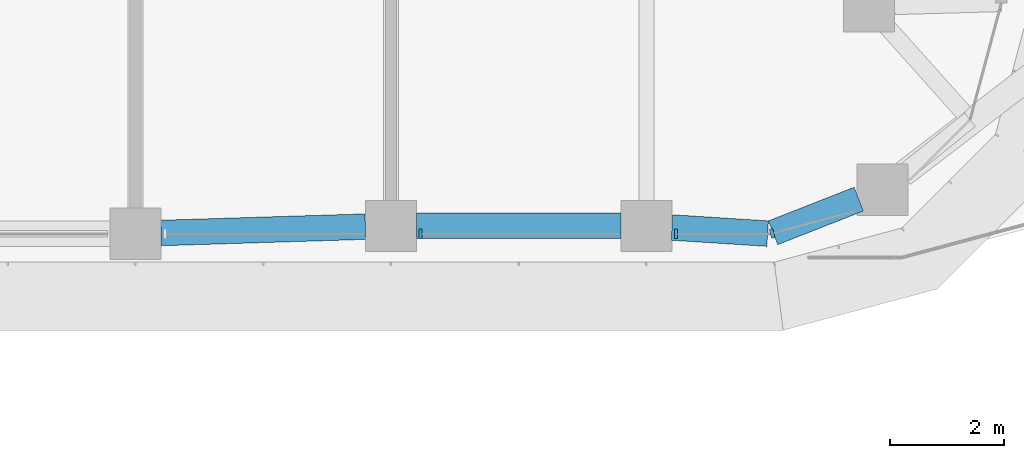
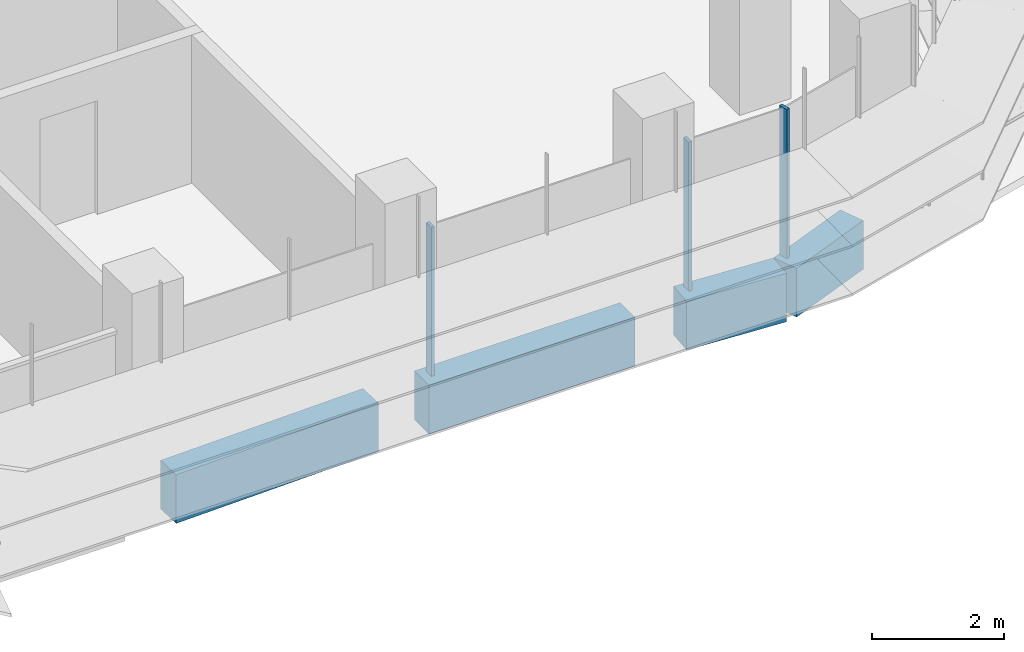
# One storey, part 5 of 22: 4 beams, 3 members, 2 elements without a shape of their own.
"""IFC4 building model written with IfcOpenShell, lengths in metres."""

from ifc_helpers import new_model, si_unit, direction, frame, origin, origin_2d, place, context, subcontext, project, spatial, polyline, rectangle, outline, extrude, source, transform, mapped, material, material_profile, profile_set, type_object, element, aggregate, save


model = new_model("IFC4")

# Units and contexts
model_context = context("Model", 3, precision=1e-05, world=origin(), true_north=direction((0.0, 1.0)))
body_context = subcontext(model_context, "Body", "Model", "MODEL_VIEW")
ifc_project = project(units=[si_unit("LENGTHUNIT", "METRE"), si_unit("AREAUNIT", "SQUARE_METRE"), si_unit("VOLUMEUNIT", "CUBIC_METRE"), si_unit("PLANEANGLEUNIT", "RADIAN"), si_unit("MASSUNIT", "GRAM", prefix="KILO")], contexts=[model_context])

# Site, building, storey
site_placement = place(None, origin())
site = spatial("IfcSite", under=ifc_project, at=site_placement, CompositionType="ELEMENT")
building_placement = place(site_placement, origin())
building = spatial("IfcBuilding", under=site, at=building_placement, Name="Zarbagh Exchange Tower", CompositionType="ELEMENT")
storey_placement = place(building_placement, frame((0.0, 0.0, 124.60009765625)))
storey = spatial("IfcBuildingStorey", under=building, at=storey_placement, Name="L29", CompositionType="ELEMENT", Elevation=124.60009765625)

# Beams
ifc_material_1 = material(Name="Concrete C60/75", Category="concrete")
ifc_material_profile = material_profile(ifc_material_1, rectangle(XDim=0.449951171875, YDim=0.89990234375, at=origin_2d()), Name="RC spandrel beam 450 x 900 C60/75")
ifc_profile_set = profile_set([ifc_material_profile], Name="Concrete C60/75")
beam_type = type_object("IfcBeamType", Name="RC spandrel beam 450 x 900 C60/75", PredefinedType="SPANDREL", material=ifc_profile_set)
beam_1_placement = place(storey_placement, frame((28.489013671875, -5.639404296875, -0.60009765625), z_axis=(-0.930806421439, -0.365512524832, 0.0), x_axis=(0.365512524832, -0.930806421439, 0.0)))
element("IfcBeam", 1, at=beam_1_placement, inside=storey, type_object=beam_type, Name="RC spandrel beam", PredefinedType="SPANDREL", context=body_context, shape_type="SweptSolid", body=[
    extrude(rectangle(XDim=0.449951171875, YDim=0.89990234375, at=origin_2d()), origin(), (0.0, 0.0, 1.0), 1.620361328125),
])
beam_2_placement = place(storey_placement, frame((26.88427734375, -6.246826171875, -0.60009765625), z_axis=(-0.997955762545, 0.063908497109, 0.0), x_axis=(-0.063908497109, -0.997955762545, 0.0)))
element("IfcBeam", 2, at=beam_2_placement, inside=storey, type_object=beam_type, Name="RC spandrel beam", PredefinedType="SPANDREL", context=body_context, shape_type="SweptSolid", body=[
    extrude(rectangle(XDim=0.449951171875, YDim=0.89990234375, at=origin_2d()), origin(), (0.0, 0.0, 1.0), 1.6884765625),
])
beam_3_placement = place(storey_placement, frame((24.300048828125, -6.110107421875, -0.60009765625), z_axis=(-1.0, 0.0, 0.0), x_axis=(0.0, -1.0, 0.0)))
element("IfcBeam", 3, at=beam_3_placement, inside=storey, type_object=beam_type, Name="RC spandrel beam", PredefinedType="SPANDREL", context=body_context, shape_type="SweptSolid", body=[
    extrude(rectangle(XDim=0.449951171875, YDim=0.89990234375, at=origin_2d()), origin(), (0.0, 0.0, 1.0), 3.60009765625),
])
beam_4_placement = place(storey_placement, frame((19.80029296875, -6.1240234375, -0.60009765625), z_axis=(-0.999516035224, -0.031107801747, 0.0), x_axis=(0.031107801747, -0.999516035224, 0.0)))
element("IfcBeam", 4, at=beam_4_placement, inside=storey, type_object=beam_type, Name="RC spandrel beam", PredefinedType="SPANDREL", context=body_context, shape_type="SweptSolid", body=[
    extrude(rectangle(XDim=0.449951171875, YDim=0.89990234375, at=origin_2d()), origin(), (0.0, 0.0, 1.0), 3.602294921875),
])

# Curtain wall, members
ifc_material_2 = material(Name="Anodised aluminium frame and glazing", Category="aluminium")
curtain_wall_type = type_object("IfcCurtainWallType", Name="CWA Ribbon glazing, lower zones", PredefinedType="NOTDEFINED", material=ifc_material_2)
curtain_wall_1_placement = place(storey_placement, origin())
curtain_wall_1 = element("IfcCurtainWall", 5, at=curtain_wall_1_placement, inside=storey, type_object=curtain_wall_type, Name="CWA58 curtain wall", PredefinedType="NOTDEFINED")
ifc_material_3 = material(Name="Anodised aluminium frame", Category="aluminium")
member_type = type_object("IfcMemberType", Name="MUA Mullion, anodised aluminium frame", PredefinedType="MULLION", material=ifc_material_3)
shared_shape = source(origin(), body_context, "Body", "SweptSolid", [
    extrude(outline(polyline([(0.0, -0.080078125), (0.06005859375, -0.080078125), (0.06005859375, 0.080078125), (0.0, 0.080078125), (0.0, -0.080078125)])), origin(), (0.0, 0.0, 1.0), 2.75),
])
placement = place(storey_placement, origin())
member_1 = element("IfcMember", 6, at=placement, type_object=member_type, Name="CWA58 mullion 3.1", PredefinedType="MULLION", context=body_context, shape_type="MappedRepresentation", body=[
    mapped(shared_shape, transform((20.739990234375, -6.25, 0.0), x_axis=(1.0, 0.0, 0.0), y_axis=(0.0, 1.0, 0.0), z_axis=(0.0, 0.0, 1.0))),
])
member_2 = element("IfcMember", 7, at=placement, type_object=member_type, Name="CWA58 mullion 4.1", PredefinedType="MULLION", context=body_context, shape_type="MappedRepresentation", body=[
    mapped(shared_shape, transform((25.239990234375, -6.25, 0.0), x_axis=(1.0, 0.0, 0.0), y_axis=(0.0, 1.0, 0.0), z_axis=(0.0, 0.0, 1.0))),
])
aggregate(curtain_wall_1, [member_1, member_2])

# Curtain wall, member
curtain_wall_2_placement = place(storey_placement, origin())
curtain_wall_2 = element("IfcCurtainWall", 8, at=curtain_wall_2_placement, inside=storey, type_object=curtain_wall_type, Name="CWA59 curtain wall", PredefinedType="NOTDEFINED")
member_3 = element("IfcMember", 9, at=placement, type_object=member_type, Name="CWA59 mullion 1.1", PredefinedType="MULLION", context=body_context, shape_type="MappedRepresentation", body=[
    mapped(shared_shape, transform((26.93408203125, -6.25, 0.0), x_axis=(0.965924289636, 0.258824779902, 0.0), y_axis=(-0.258824779902, 0.965924289636, 0.0), z_axis=(0.0, 0.0, 1.0))),
])
aggregate(curtain_wall_2, [member_3])

save(model, "model.ifc")
